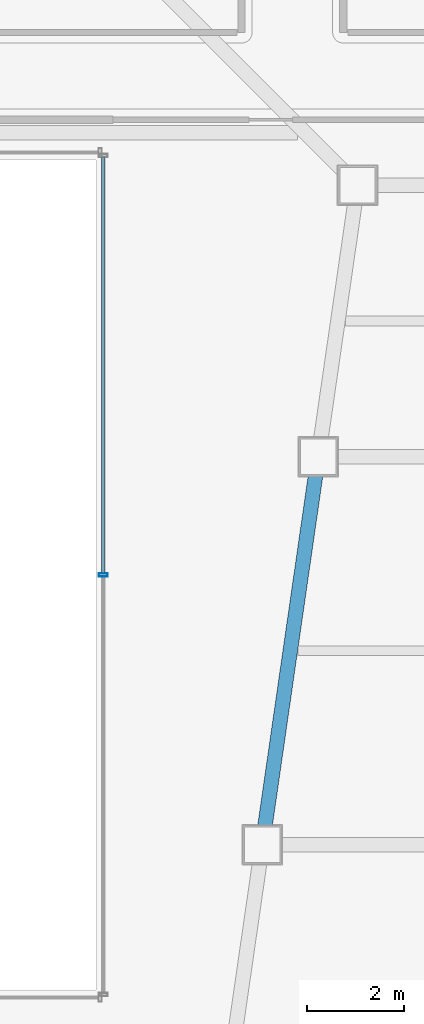
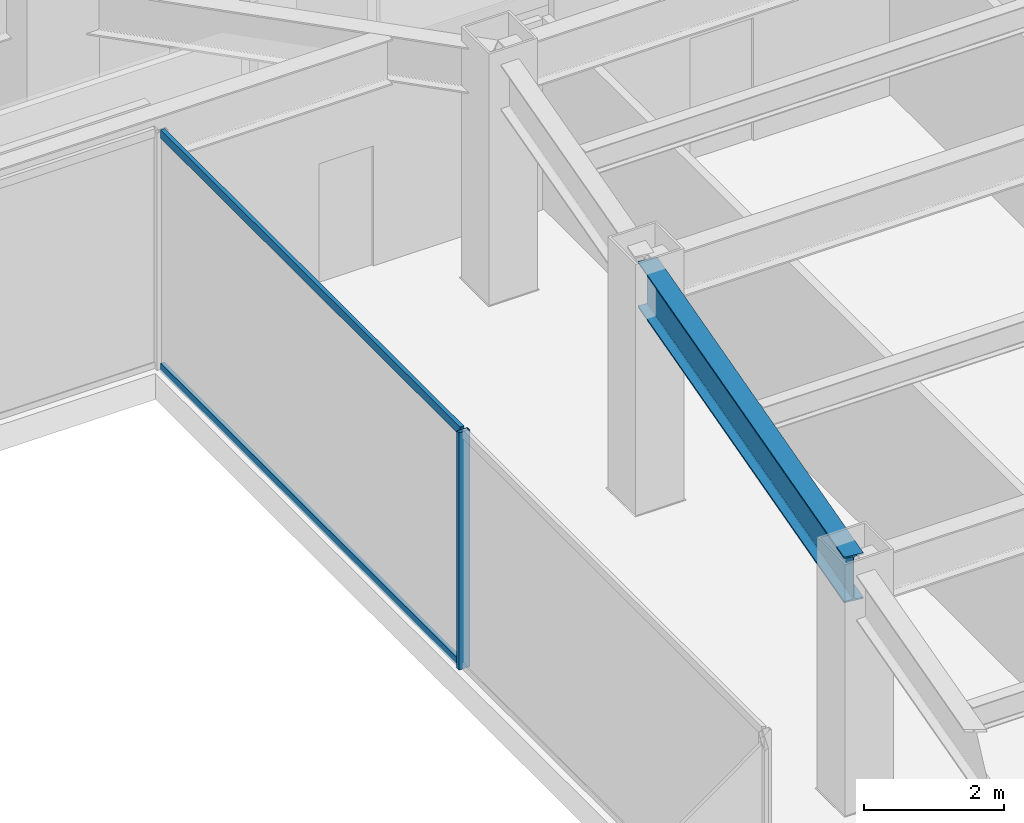
# One storey, part 20 of 49: 3 members, 1 beam, 1 element without a shape of its own.
"""IFC4 building model written with IfcOpenShell, lengths in metres."""

import ifcopenshell
import ifcopenshell.guid

model = None  # the IFC model being written
_history = None  # IfcOwnerHistory: only IFC2X3 demands one
_inside = {}  # id of a spatial element -> (the spatial element, [elements in it])
_under = {}  # id of a project, library or spatial element -> (it, [spatial elements below it])
_declared = {}  # id of a project -> (the project, [libraries it declares])
_typed = {}  # id of a type object -> (the type object, [elements of that type])
_made_of = {}  # id of a material, layer set ... -> (it, [elements and type objects made of it])


def new_model(schema):
    """Start an empty IFC model of exactly this schema.

    Asked for "IFC4X3", IfcOpenShell would pick the latest addendum, in which some entities
    have other attributes; the version numbers below select the first issue.
    IFC2X3 requires an IfcOwnerHistory on every rooted entity: one is made here for all.
    """
    global model, _history
    if schema == "IFC4X3":
        model = ifcopenshell.file(schema_version=(4, 3, 0, 0))
    else:
        model = ifcopenshell.file(schema=schema)
    _inside.clear()
    _under.clear()
    _declared.clear()
    _typed.clear()
    _made_of.clear()
    _history = None
    if model.schema == "IFC2X3":
        org = make("IfcOrganization", Name="unknown")
        user = make(
            "IfcPersonAndOrganization",
            ThePerson=make("IfcPerson", FamilyName="unknown"),
            TheOrganization=org,
        )
        app = make(
            "IfcApplication",
            ApplicationDeveloper=org,
            Version="unknown",
            ApplicationFullName="unknown",
            ApplicationIdentifier="unknown",
        )
        _history = make(
            "IfcOwnerHistory",
            OwningUser=user,
            OwningApplication=app,
            ChangeAction="ADDED",
            CreationDate=0,
        )
    return model


def make(cls, **values):
    """One entity of the class cls with the attributes given. An attribute that is None is left unset."""
    return model.create_entity(
        cls, **{name: value for name, value in values.items() if value is not None}
    )


def rooted(cls, **values):
    """An entity with a GlobalId (a new one), such as an element, a storey or a relation."""
    return make(cls, GlobalId=ifcopenshell.guid.new(), OwnerHistory=_history, **values)


def si_unit(unit_type, name, prefix=None):
    """IfcSIUnit, for example si_unit("LENGTHUNIT", "METRE", prefix="MILLI")."""
    return make("IfcSIUnit", UnitType=unit_type, Prefix=prefix, Name=name)


def assignment(units):
    """IfcUnitAssignment: the units of a project."""
    return None if units is None else make("IfcUnitAssignment", Units=units)


def point(xyz):
    """IfcCartesianPoint."""
    return None if xyz is None else make("IfcCartesianPoint", Coordinates=xyz)


def direction(xyz):
    """IfcDirection."""
    return None if xyz is None else make("IfcDirection", DirectionRatios=xyz)


def frame(location, z_axis=None, x_axis=None):
    """IfcAxis2Placement3D, a coordinate frame: its origin and axes. An axis left out is left unset."""
    return make(
        "IfcAxis2Placement3D",
        Location=point(location),
        Axis=direction(z_axis),
        RefDirection=direction(x_axis),
    )


def frame_2d(location, x_axis=None):
    """IfcAxis2Placement2D, a coordinate frame in the plane: its origin and x axis."""
    return make(
        "IfcAxis2Placement2D", Location=point(location), RefDirection=direction(x_axis)
    )


def origin():
    """The frame at (0, 0, 0) with its axes left unset."""
    return frame((0.0, 0.0, 0.0))


def origin_2d():
    """The frame at (0, 0) in the plane with its x axis left unset."""
    return frame_2d((0.0, 0.0))


def place(relative_to, where):
    """IfcLocalPlacement: puts the frame where relative to a parent placement (None: the world)."""
    return make(
        "IfcLocalPlacement", PlacementRelTo=relative_to, RelativePlacement=where
    )


def context(
    kind, dimensions, precision=None, world=None, true_north=None, identifier=None
):
    """IfcGeometricRepresentationContext, for example the 3D "Model" context."""
    return make(
        "IfcGeometricRepresentationContext",
        ContextIdentifier=identifier,
        ContextType=kind,
        CoordinateSpaceDimension=dimensions,
        Precision=precision,
        WorldCoordinateSystem=world,
        TrueNorth=true_north,
    )


def subcontext(parent, identifier, kind, view, scale=None):
    """IfcGeometricRepresentationSubContext, for example "Body" below "Model"."""
    return make(
        "IfcGeometricRepresentationSubContext",
        ContextIdentifier=identifier,
        ContextType=kind,
        ParentContext=parent,
        TargetScale=scale,
        TargetView=view,
    )


def project(units=None, contexts=None):
    """IfcProject with its units and contexts."""
    return rooted(
        "IfcProject",
        Name="project",
        RepresentationContexts=contexts,
        UnitsInContext=assignment(units),
    )


def spatial(cls, under=None, at=None, **own):
    """A site, building, storey or space (cls), placed at a placement, below another one or the project."""
    s = rooted(cls, ObjectPlacement=at, **own)
    if under is not None:
        _under.setdefault(under.id(), (under, []))[1].append(s)
    return s


def profile(cls, at=None, kind="AREA", **sizes):
    """A parametric profile (cls). Its sizes go by their IFC names, for example OverallWidth=200.0."""
    return make(cls, ProfileType=kind, Position=at, **sizes)


def hollow_rectangle(**sizes):
    """IfcRectangleHollowProfileDef."""
    return profile("IfcRectangleHollowProfileDef", **sizes)


def i_section(**sizes):
    """IfcIShapeProfileDef."""
    return profile("IfcIShapeProfileDef", **sizes)


def extrude(swept, where, along, depth):
    """IfcExtrudedAreaSolid: the profile swept, set in the frame where, extruded along a direction by depth."""
    return make(
        "IfcExtrudedAreaSolid",
        SweptArea=swept,
        Position=where,
        ExtrudedDirection=direction(along),
        Depth=depth,
    )


def shape(context_of_items, identifier, shape_type, items):
    """IfcShapeRepresentation: the items that make up one representation, for example the "Body"."""
    return make(
        "IfcShapeRepresentation",
        ContextOfItems=context_of_items,
        RepresentationIdentifier=identifier,
        RepresentationType=shape_type,
        Items=items,
    )


def material(Name=None, Category=None):
    """IfcMaterial."""
    return make("IfcMaterial", Name=Name, Category=Category)


def material_profile(
    of_material, cross_section, Name=None, Category=None, Priority=None
):
    """IfcMaterialProfile: a cross section and its material."""
    return make(
        "IfcMaterialProfile",
        Name=Name,
        Material=of_material,
        Profile=cross_section,
        Priority=Priority,
        Category=Category,
    )


def profile_set(profiles, Name=None, composite=None):
    """IfcMaterialProfileSet."""
    return make(
        "IfcMaterialProfileSet",
        Name=Name,
        MaterialProfiles=profiles,
        CompositeProfile=composite,
    )


def made_of(thing, what):
    """Note that an element or type object is made of a material, layer set ...; save() writes the relation."""
    if what is not None:
        _made_of.setdefault(what.id(), (what, []))[1].append(thing)
    return thing


def type_object(cls, material=None, **own):
    """A type object (cls), such as IfcWallType, which elements share."""
    return made_of(rooted(cls, **own), material)


def element(
    cls,
    number,
    at=None,
    inside=None,
    cuts=None,
    type_object=None,
    material=None,
    context=None,
    identifier="Body",
    shape_type=None,
    held_by="IfcProductDefinitionShape",
    body=None,
    shapes=None,
    **own,
):
    """One element of the class cls, such as IfcWall. Its Tag is "e" and its number.

    at: its placement. inside: the storey or other place that contains it. cuts: it is an
    opening in that element (IfcRelVoidsElement). A single representation is given by context,
    identifier, shape_type and body (its items); several are given by shapes. held_by: the class
    of the entity that holds the representations. save() writes the other relations.
    """
    e = rooted(cls, Tag="e%d" % number, ObjectPlacement=at, **own)
    if body is not None:
        shapes = [shape(context, identifier, shape_type, body)]
    if shapes is not None:
        e.Representation = make(held_by, Representations=shapes)
    if inside is not None:
        _inside.setdefault(inside.id(), (inside, []))[1].append(e)
    if cuts is not None:
        rooted(
            "IfcRelVoidsElement", RelatingBuildingElement=cuts, RelatedOpeningElement=e
        )
    if type_object is not None:
        _typed.setdefault(type_object.id(), (type_object, []))[1].append(e)
    return made_of(e, material)


def aggregate(whole, parts):
    """IfcRelAggregates: a whole, such as a stair, and the parts it consists of."""
    return rooted("IfcRelAggregates", RelatingObject=whole, RelatedObjects=parts)


def save(model, path):
    """Write the relations noted so far, then the file.

    IfcRelAggregates (storeys below a building ...), IfcRelContainedInSpatialStructure (elements
    in a storey), IfcRelDefinesByType, IfcRelAssociatesMaterial and IfcRelDeclares: one each for
    every whole, place, type object, material and project.
    """
    for whole, parts in _under.values():
        aggregate(whole, parts)
    for where, things in _inside.values():
        rooted(
            "IfcRelContainedInSpatialStructure",
            RelatedElements=things,
            RelatingStructure=where,
        )
    for kind, things in _typed.values():
        rooted("IfcRelDefinesByType", RelatedObjects=things, RelatingType=kind)
    for what, things in _made_of.values():
        rooted("IfcRelAssociatesMaterial", RelatedObjects=things, RelatingMaterial=what)
    for by, libraries in _declared.values():
        rooted("IfcRelDeclares", RelatingContext=by, RelatedDefinitions=libraries)
    model.write(path)


model = new_model("IFC4")

# Units and contexts
model_context = context("Model", 3, precision=1e-05, world=origin(), true_north=direction((0.0, 1.0)))
body_context = subcontext(model_context, "Body", "Model", "MODEL_VIEW")
ifc_project = project(units=[si_unit("LENGTHUNIT", "METRE"), si_unit("AREAUNIT", "SQUARE_METRE"), si_unit("VOLUMEUNIT", "CUBIC_METRE"), si_unit("PLANEANGLEUNIT", "RADIAN"), si_unit("MASSUNIT", "GRAM", prefix="KILO")], contexts=[model_context])

# Site, building, storey
site_placement = place(None, origin())
site = spatial("IfcSite", under=ifc_project, at=site_placement, CompositionType="ELEMENT")
building_placement = place(site_placement, origin())
building = spatial("IfcBuilding", under=site, at=building_placement, Name="Saevonmaru Cultural Tower", CompositionType="ELEMENT")
storey_placement = place(building_placement, frame((0.0, 0.0, 38.39990234375)))
storey = spatial("IfcBuildingStorey", under=building, at=storey_placement, Name="L07", CompositionType="ELEMENT", Elevation=38.39990234375)

# Beam
ifc_material_1 = material(Name="Steel SM420", Category="steel")
ifc_material_profile_1 = material_profile(ifc_material_1, i_section(OverallWidth=0.300048828125, OverallDepth=0.800048828125, WebThickness=0.013916015625, FlangeThickness=0.02587890625, FilletRadius=0.028076171875, at=origin_2d()), Name="H-800x300x14x26")
ifc_profile_set_1 = profile_set([ifc_material_profile_1], Name="Steel SM420")
beam_type = type_object("IfcBeamType", Name="BM-G-H800", PredefinedType="BEAM", material=ifc_profile_set_1)
beam_placement = place(storey_placement, frame((39.236572265625, 24.059326171875, 3.75), z_axis=(0.142902032203, 0.989736838353, 0.0), x_axis=(-0.989736838353, 0.142902032203, 0.0)))
element("IfcBeam", 1, at=beam_placement, inside=storey, type_object=beam_type, Name="L07 East Atrium Girder 4", PredefinedType="BEAM", context=body_context, shape_type="SweptSolid", body=[
    extrude(i_section(OverallWidth=0.300048828125, OverallDepth=0.800048828125, WebThickness=0.013916015625, FlangeThickness=0.02587890625, FilletRadius=0.028076171875, at=origin_2d()), origin(), (0.0, 0.0, 1.0), 7.963134765625),
])

# Curtain wall, members
ifc_material_2 = material(Name="Satin Bronze Anodised Aluminium", Category="aluminium")
curtain_wall_type = type_object("IfcCurtainWallType", Name="CW-ATR-GLZ", PredefinedType="NOTDEFINED", material=ifc_material_2)
curtain_wall_placement = place(storey_placement, origin())
curtain_wall = element("IfcCurtainWall", 2, at=curtain_wall_placement, inside=storey, type_object=curtain_wall_type, Name="L07 Vertical Atrium Glazed Smoke Screen 2", PredefinedType="NOTDEFINED")
ifc_material_profile_2 = material_profile(ifc_material_2, hollow_rectangle(XDim=0.06494140625, YDim=0.179931640625, WallThickness=0.00390625, at=origin_2d()), Name="ALU-MULL-180x65x4")
ifc_profile_set_2 = profile_set([ifc_material_profile_2], Name="Satin Bronze Anodised Aluminium")
member_type_1 = type_object("IfcMemberType", Name="ML-CW-INT-180x65", PredefinedType="MULLION", material=ifc_profile_set_2)
member_1_placement = place(storey_placement, frame((35.949951171875, 29.56005859375, 0.0), z_axis=(0.0, 0.0, 1.0), x_axis=(0.0, 1.0, 0.0)))
member_1 = element("IfcMember", 3, at=member_1_placement, type_object=member_type_1, Name="CW-ATR-L07-2 mullion 2", PredefinedType="MULLION", context=body_context, shape_type="SweptSolid", body=[
    extrude(hollow_rectangle(XDim=0.06494140625, YDim=0.179931640625, WallThickness=0.00390625, at=origin_2d()), origin(), (0.0, 0.0, 1.0), 4.150146484375),
])
ifc_material_profile_3 = material_profile(ifc_material_2, hollow_rectangle(XDim=0.06494140625, YDim=0.14990234375, WallThickness=0.00390625, at=origin_2d()), Name="ALU-TRAN-150x65x4")
ifc_profile_set_3 = profile_set([ifc_material_profile_3], Name="Satin Bronze Anodised Aluminium")
member_type_2 = type_object("IfcMemberType", Name="TR-CW-INT-150x65", PredefinedType="USERDEFINED", material=ifc_profile_set_3)
member_2_placement = place(storey_placement, frame((35.949951171875, 29.592529296875, 0.03271484375), z_axis=(0.0, 1.0, 0.0), x_axis=(-1.0, 0.0, 0.0)))
member_2 = element("IfcMember", 4, at=member_2_placement, type_object=member_type_2, Name="CW-ATR-L07-2 transom 2.1", ObjectType="TRANSOM", PredefinedType="USERDEFINED", context=body_context, shape_type="SweptSolid", body=[
    extrude(hollow_rectangle(XDim=0.06494140625, YDim=0.14990234375, WallThickness=0.00390625, at=origin_2d()), origin(), (0.0, 0.0, 1.0), 8.5849609375),
])
member_3_placement = place(storey_placement, frame((35.949951171875, 29.592529296875, 4.11767578125), z_axis=(0.0, 1.0, 0.0), x_axis=(-1.0, 0.0, 0.0)))
member_3 = element("IfcMember", 5, at=member_3_placement, type_object=member_type_2, Name="CW-ATR-L07-2 transom 2.2", ObjectType="TRANSOM", PredefinedType="USERDEFINED", context=body_context, shape_type="SweptSolid", body=[
    extrude(hollow_rectangle(XDim=0.06494140625, YDim=0.14990234375, WallThickness=0.00390625, at=origin_2d()), origin(), (0.0, 0.0, 1.0), 8.5849609375),
])
aggregate(curtain_wall, [member_1, member_2, member_3])

save(model, "model.ifc")
